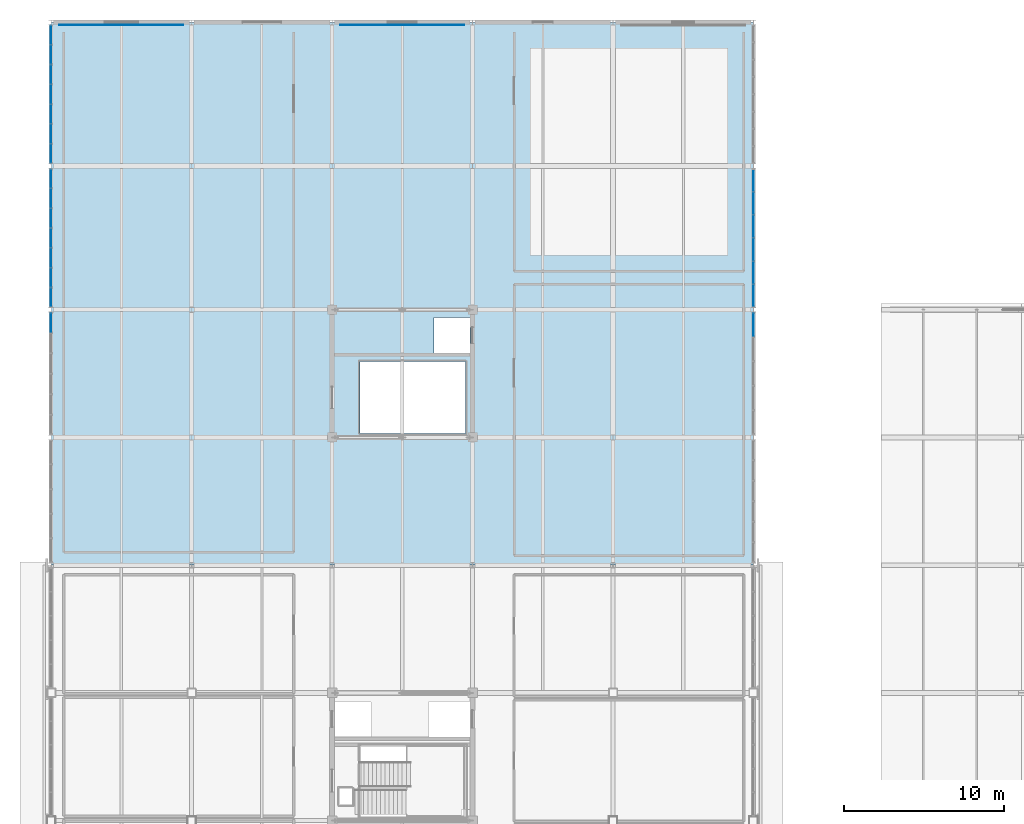
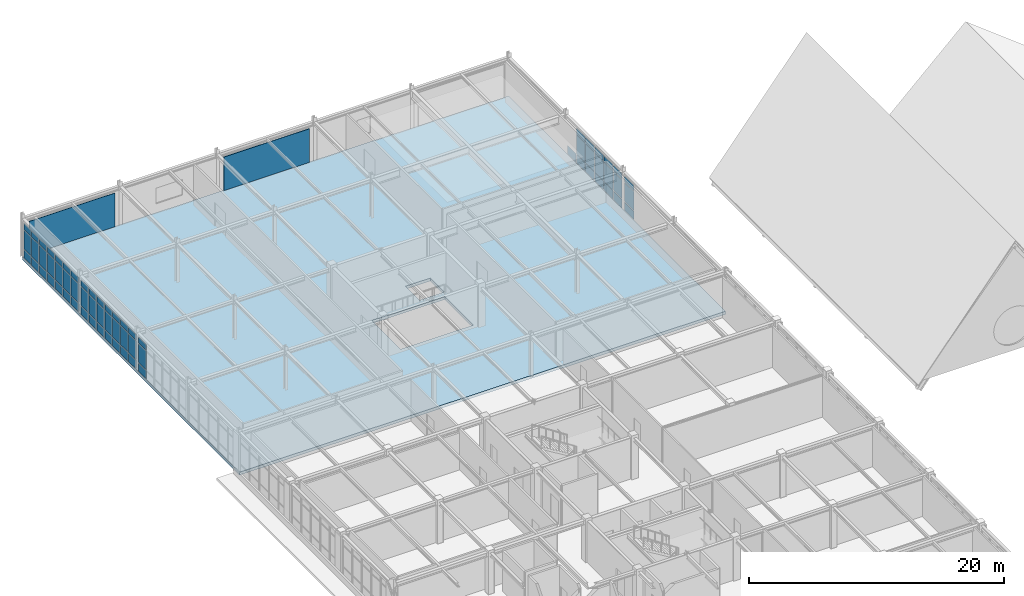
# One storey, part 31 of 64: 66 plates, 1 slab, 5 elements without a shape of their own.
"""IFC4 building model written with IfcOpenShell, lengths in metres."""

from ifc_helpers import new_model, si_unit, direction, frame, origin, origin_2d, place, context, subcontext, project, spatial, polyline, rectangle, outline, extrude, material, layer, layer_set, type_object, element, aggregate, save


model = new_model("IFC4")

# Units and contexts
model_context = context("Model", 3, precision=1e-05, world=origin(), true_north=direction((0.0, 1.0)))
body_context = subcontext(model_context, "Body", "Model", "MODEL_VIEW")
ifc_project = project(units=[si_unit("LENGTHUNIT", "METRE"), si_unit("AREAUNIT", "SQUARE_METRE"), si_unit("VOLUMEUNIT", "CUBIC_METRE"), si_unit("PLANEANGLEUNIT", "RADIAN"), si_unit("MASSUNIT", "GRAM", prefix="KILO")], contexts=[model_context])

# Site, building, storey
site_placement = place(None, origin())
site = spatial("IfcSite", under=ifc_project, at=site_placement, CompositionType="ELEMENT")
building_placement = place(site_placement, origin())
building = spatial("IfcBuilding", under=site, at=building_placement, Name="Zhaolan Boulevard Law Courts", CompositionType="ELEMENT")
storey_placement = place(building_placement, frame((0.0, 0.0, 20.39990234375)))
storey = spatial("IfcBuildingStorey", under=building, at=storey_placement, Name="L04", CompositionType="ELEMENT", Elevation=20.39990234375)

# Curtain wall, plates
ifc_material_1 = material(Name="Thermally broken aluminium and low-E glazing", Category="aluminium")
curtain_wall_type_1 = type_object("IfcCurtainWallType", Name="CURTAIN WALL M12", PredefinedType="USERDEFINED", material=ifc_material_1)
curtain_wall_1_placement = place(storey_placement, origin())
curtain_wall_1 = element("IfcCurtainWall", 1, at=curtain_wall_1_placement, inside=storey, type_object=curtain_wall_type_1, Name="Curtain Wall CW-L04-132", ObjectType="CURTAIN WALL", PredefinedType="USERDEFINED")
ifc_material_2 = material(Name="Triple-silver low-E insulated glazing", Category="glass")
ifc_layer_1 = layer(ifc_material_2, 0.028076171875)
ifc_layer_set_1 = layer_set([ifc_layer_1])
plate_type_1 = type_object("IfcPlateType", Name="CWPANEL LOW E28", PredefinedType="CURTAIN_PANEL", material=ifc_layer_set_1)
plate_1_placement = place(storey_placement, frame((0.0, 93.1904296875, 0.06494140625), z_axis=(0.0, 0.0, 1.0), x_axis=(0.0, -1.0, 0.0)))
plate_1 = element("IfcPlate", 2, at=plate_1_placement, type_object=plate_type_1, Name="CW-L04-132 panel 1.1", PredefinedType="CURTAIN_PANEL", context=body_context, shape_type="SweptSolid", body=[
    extrude(rectangle(XDim=1.18505859375, YDim=0.028076171875, at=origin_2d()), origin(), (0.0, 0.0, 1.0), 0.802490234375),
])
plate_2_placement = place(storey_placement, frame((0.0, 93.1904296875, 0.9326171875), z_axis=(0.0, 0.0, 1.0), x_axis=(0.0, -1.0, 0.0)))
plate_2 = element("IfcPlate", 3, at=plate_2_placement, type_object=plate_type_1, Name="CW-L04-132 panel 1.2", PredefinedType="CURTAIN_PANEL", context=body_context, shape_type="SweptSolid", body=[
    extrude(rectangle(XDim=1.18505859375, YDim=0.028076171875, at=origin_2d()), origin(), (0.0, 0.0, 1.0), 1.80810546875),
])
plate_3_placement = place(storey_placement, frame((0.0, 93.1904296875, 2.8056640625), z_axis=(0.0, 0.0, 1.0), x_axis=(0.0, -1.0, 0.0)))
plate_3 = element("IfcPlate", 4, at=plate_3_placement, type_object=plate_type_1, Name="CW-L04-132 panel 1.3", PredefinedType="CURTAIN_PANEL", context=body_context, shape_type="SweptSolid", body=[
    extrude(rectangle(XDim=1.18505859375, YDim=0.028076171875, at=origin_2d()), origin(), (0.0, 0.0, 1.0), 0.552490234375),
])
aggregate(curtain_wall_1, [plate_1, plate_2, plate_3])

ifc_material_3 = material(Name="Thermally broken aluminium and low-E glazing", Category="aluminium")
curtain_wall_type_2 = type_object("IfcCurtainWallType", Name="CURTAIN WALL M13", PredefinedType="USERDEFINED", material=ifc_material_3)
curtain_wall_2_placement = place(storey_placement, origin())
curtain_wall_2 = element("IfcCurtainWall", 5, at=curtain_wall_2_placement, inside=storey, type_object=curtain_wall_type_2, Name="Curtain Wall CW-L04-133", ObjectType="CURTAIN WALL", PredefinedType="USERDEFINED")
plate_4_placement = place(storey_placement, frame((0.0, 102.210693359375, 0.06494140625), z_axis=(0.0, 0.0, 1.0), x_axis=(0.0, -1.0, 0.0)))
plate_4 = element("IfcPlate", 6, at=plate_4_placement, type_object=plate_type_1, Name="CW-L04-133 panel 1.1", PredefinedType="CURTAIN_PANEL", context=body_context, shape_type="SweptSolid", body=[
    extrude(rectangle(XDim=1.144775390625, YDim=0.028076171875, at=origin_2d()), origin(), (0.0, 0.0, 1.0), 0.802490234375),
])
plate_5_placement = place(storey_placement, frame((0.0, 102.210693359375, 0.9326171875), z_axis=(0.0, 0.0, 1.0), x_axis=(0.0, -1.0, 0.0)))
plate_5 = element("IfcPlate", 7, at=plate_5_placement, type_object=plate_type_1, Name="CW-L04-133 panel 1.2", PredefinedType="CURTAIN_PANEL", context=body_context, shape_type="SweptSolid", body=[
    extrude(rectangle(XDim=1.144775390625, YDim=0.028076171875, at=origin_2d()), origin(), (0.0, 0.0, 1.0), 1.80810546875),
])
plate_6_placement = place(storey_placement, frame((0.0, 102.210693359375, 2.8056640625), z_axis=(0.0, 0.0, 1.0), x_axis=(0.0, -1.0, 0.0)))
plate_6 = element("IfcPlate", 8, at=plate_6_placement, type_object=plate_type_1, Name="CW-L04-133 panel 1.3", PredefinedType="CURTAIN_PANEL", context=body_context, shape_type="SweptSolid", body=[
    extrude(rectangle(XDim=1.144775390625, YDim=0.028076171875, at=origin_2d()), origin(), (0.0, 0.0, 1.0), 0.552490234375),
])
plate_7_placement = place(storey_placement, frame((0.0, 100.984619140625, 0.06494140625), z_axis=(0.0, 0.0, 1.0), x_axis=(0.0, -1.0, 0.0)))
plate_7 = element("IfcPlate", 9, at=plate_7_placement, type_object=plate_type_1, Name="CW-L04-133 panel 2.1", PredefinedType="CURTAIN_PANEL", context=body_context, shape_type="SweptSolid", body=[
    extrude(rectangle(XDim=1.17724609375, YDim=0.028076171875, at=origin_2d()), origin(), (0.0, 0.0, 1.0), 0.802490234375),
])
plate_8_placement = place(storey_placement, frame((0.0, 100.984619140625, 0.9326171875), z_axis=(0.0, 0.0, 1.0), x_axis=(0.0, -1.0, 0.0)))
plate_8 = element("IfcPlate", 10, at=plate_8_placement, type_object=plate_type_1, Name="CW-L04-133 panel 2.2", PredefinedType="CURTAIN_PANEL", context=body_context, shape_type="SweptSolid", body=[
    extrude(rectangle(XDim=1.17724609375, YDim=0.028076171875, at=origin_2d()), origin(), (0.0, 0.0, 1.0), 1.80810546875),
])
plate_9_placement = place(storey_placement, frame((0.0, 100.984619140625, 2.8056640625), z_axis=(0.0, 0.0, 1.0), x_axis=(0.0, -1.0, 0.0)))
plate_9 = element("IfcPlate", 11, at=plate_9_placement, type_object=plate_type_1, Name="CW-L04-133 panel 2.3", PredefinedType="CURTAIN_PANEL", context=body_context, shape_type="SweptSolid", body=[
    extrude(rectangle(XDim=1.17724609375, YDim=0.028076171875, at=origin_2d()), origin(), (0.0, 0.0, 1.0), 0.552490234375),
])
plate_10_placement = place(storey_placement, frame((0.0, 99.7421875, 0.06494140625), z_axis=(0.0, 0.0, 1.0), x_axis=(0.0, -1.0, 0.0)))
plate_10 = element("IfcPlate", 12, at=plate_10_placement, type_object=plate_type_1, Name="CW-L04-133 panel 3.1", PredefinedType="CURTAIN_PANEL", context=body_context, shape_type="SweptSolid", body=[
    extrude(rectangle(XDim=1.17724609375, YDim=0.028076171875, at=origin_2d()), origin(), (0.0, 0.0, 1.0), 0.802490234375),
])
plate_11_placement = place(storey_placement, frame((0.0, 99.7421875, 0.9326171875), z_axis=(0.0, 0.0, 1.0), x_axis=(0.0, -1.0, 0.0)))
plate_11 = element("IfcPlate", 13, at=plate_11_placement, type_object=plate_type_1, Name="CW-L04-133 panel 3.2", PredefinedType="CURTAIN_PANEL", context=body_context, shape_type="SweptSolid", body=[
    extrude(rectangle(XDim=1.17724609375, YDim=0.028076171875, at=origin_2d()), origin(), (0.0, 0.0, 1.0), 1.80810546875),
])
plate_12_placement = place(storey_placement, frame((0.0, 99.7421875, 2.8056640625), z_axis=(0.0, 0.0, 1.0), x_axis=(0.0, -1.0, 0.0)))
plate_12 = element("IfcPlate", 14, at=plate_12_placement, type_object=plate_type_1, Name="CW-L04-133 panel 3.3", PredefinedType="CURTAIN_PANEL", context=body_context, shape_type="SweptSolid", body=[
    extrude(rectangle(XDim=1.17724609375, YDim=0.028076171875, at=origin_2d()), origin(), (0.0, 0.0, 1.0), 0.552490234375),
])
plate_13_placement = place(storey_placement, frame((0.0, 98.5, 0.06494140625), z_axis=(0.0, 0.0, 1.0), x_axis=(0.0, -1.0, 0.0)))
plate_13 = element("IfcPlate", 15, at=plate_13_placement, type_object=plate_type_1, Name="CW-L04-133 panel 4.1", PredefinedType="CURTAIN_PANEL", context=body_context, shape_type="SweptSolid", body=[
    extrude(rectangle(XDim=1.17724609375, YDim=0.028076171875, at=origin_2d()), origin(), (0.0, 0.0, 1.0), 0.802490234375),
])
plate_14_placement = place(storey_placement, frame((0.0, 98.5, 0.9326171875), z_axis=(0.0, 0.0, 1.0), x_axis=(0.0, -1.0, 0.0)))
plate_14 = element("IfcPlate", 16, at=plate_14_placement, type_object=plate_type_1, Name="CW-L04-133 panel 4.2", PredefinedType="CURTAIN_PANEL", context=body_context, shape_type="SweptSolid", body=[
    extrude(rectangle(XDim=1.17724609375, YDim=0.028076171875, at=origin_2d()), origin(), (0.0, 0.0, 1.0), 1.80810546875),
])
plate_15_placement = place(storey_placement, frame((0.0, 98.5, 2.8056640625), z_axis=(0.0, 0.0, 1.0), x_axis=(0.0, -1.0, 0.0)))
plate_15 = element("IfcPlate", 17, at=plate_15_placement, type_object=plate_type_1, Name="CW-L04-133 panel 4.3", PredefinedType="CURTAIN_PANEL", context=body_context, shape_type="SweptSolid", body=[
    extrude(rectangle(XDim=1.17724609375, YDim=0.028076171875, at=origin_2d()), origin(), (0.0, 0.0, 1.0), 0.552490234375),
])
plate_16_placement = place(storey_placement, frame((0.0, 97.2578125, 0.06494140625), z_axis=(0.0, 0.0, 1.0), x_axis=(0.0, -1.0, 0.0)))
plate_16 = element("IfcPlate", 18, at=plate_16_placement, type_object=plate_type_1, Name="CW-L04-133 panel 5.1", PredefinedType="CURTAIN_PANEL", context=body_context, shape_type="SweptSolid", body=[
    extrude(rectangle(XDim=1.17724609375, YDim=0.028076171875, at=origin_2d()), origin(), (0.0, 0.0, 1.0), 0.802490234375),
])
plate_17_placement = place(storey_placement, frame((0.0, 97.2578125, 0.9326171875), z_axis=(0.0, 0.0, 1.0), x_axis=(0.0, -1.0, 0.0)))
plate_17 = element("IfcPlate", 19, at=plate_17_placement, type_object=plate_type_1, Name="CW-L04-133 panel 5.2", PredefinedType="CURTAIN_PANEL", context=body_context, shape_type="SweptSolid", body=[
    extrude(rectangle(XDim=1.17724609375, YDim=0.028076171875, at=origin_2d()), origin(), (0.0, 0.0, 1.0), 1.80810546875),
])
plate_18_placement = place(storey_placement, frame((0.0, 97.2578125, 2.8056640625), z_axis=(0.0, 0.0, 1.0), x_axis=(0.0, -1.0, 0.0)))
plate_18 = element("IfcPlate", 20, at=plate_18_placement, type_object=plate_type_1, Name="CW-L04-133 panel 5.3", PredefinedType="CURTAIN_PANEL", context=body_context, shape_type="SweptSolid", body=[
    extrude(rectangle(XDim=1.17724609375, YDim=0.028076171875, at=origin_2d()), origin(), (0.0, 0.0, 1.0), 0.552490234375),
])
plate_19_placement = place(storey_placement, frame((0.0, 96.015380859375, 0.06494140625), z_axis=(0.0, 0.0, 1.0), x_axis=(0.0, -1.0, 0.0)))
plate_19 = element("IfcPlate", 21, at=plate_19_placement, type_object=plate_type_1, Name="CW-L04-133 panel 6.1", PredefinedType="CURTAIN_PANEL", context=body_context, shape_type="SweptSolid", body=[
    extrude(rectangle(XDim=1.17724609375, YDim=0.028076171875, at=origin_2d()), origin(), (0.0, 0.0, 1.0), 0.802490234375),
])
plate_20_placement = place(storey_placement, frame((0.0, 96.015380859375, 0.9326171875), z_axis=(0.0, 0.0, 1.0), x_axis=(0.0, -1.0, 0.0)))
plate_20 = element("IfcPlate", 22, at=plate_20_placement, type_object=plate_type_1, Name="CW-L04-133 panel 6.2", PredefinedType="CURTAIN_PANEL", context=body_context, shape_type="SweptSolid", body=[
    extrude(rectangle(XDim=1.17724609375, YDim=0.028076171875, at=origin_2d()), origin(), (0.0, 0.0, 1.0), 1.80810546875),
])
plate_21_placement = place(storey_placement, frame((0.0, 96.015380859375, 2.8056640625), z_axis=(0.0, 0.0, 1.0), x_axis=(0.0, -1.0, 0.0)))
plate_21 = element("IfcPlate", 23, at=plate_21_placement, type_object=plate_type_1, Name="CW-L04-133 panel 6.3", PredefinedType="CURTAIN_PANEL", context=body_context, shape_type="SweptSolid", body=[
    extrude(rectangle(XDim=1.17724609375, YDim=0.028076171875, at=origin_2d()), origin(), (0.0, 0.0, 1.0), 0.552490234375),
])
plate_22_placement = place(storey_placement, frame((0.0, 94.789306640625, 0.06494140625), z_axis=(0.0, 0.0, 1.0), x_axis=(0.0, -1.0, 0.0)))
plate_22 = element("IfcPlate", 24, at=plate_22_placement, type_object=plate_type_1, Name="CW-L04-133 panel 7.1", PredefinedType="CURTAIN_PANEL", context=body_context, shape_type="SweptSolid", body=[
    extrude(rectangle(XDim=1.144775390625, YDim=0.028076171875, at=origin_2d()), origin(), (0.0, 0.0, 1.0), 0.802490234375),
])
plate_23_placement = place(storey_placement, frame((0.0, 94.789306640625, 0.9326171875), z_axis=(0.0, 0.0, 1.0), x_axis=(0.0, -1.0, 0.0)))
plate_23 = element("IfcPlate", 25, at=plate_23_placement, type_object=plate_type_1, Name="CW-L04-133 panel 7.2", PredefinedType="CURTAIN_PANEL", context=body_context, shape_type="SweptSolid", body=[
    extrude(rectangle(XDim=1.144775390625, YDim=0.028076171875, at=origin_2d()), origin(), (0.0, 0.0, 1.0), 1.80810546875),
])
plate_24_placement = place(storey_placement, frame((0.0, 94.789306640625, 2.8056640625), z_axis=(0.0, 0.0, 1.0), x_axis=(0.0, -1.0, 0.0)))
plate_24 = element("IfcPlate", 26, at=plate_24_placement, type_object=plate_type_1, Name="CW-L04-133 panel 7.3", PredefinedType="CURTAIN_PANEL", context=body_context, shape_type="SweptSolid", body=[
    extrude(rectangle(XDim=1.144775390625, YDim=0.028076171875, at=origin_2d()), origin(), (0.0, 0.0, 1.0), 0.552490234375),
])
aggregate(curtain_wall_2, [plate_4, plate_5, plate_6, plate_7, plate_8, plate_9, plate_10, plate_11, plate_12, plate_13, plate_14, plate_15, plate_16, plate_17, plate_18, plate_19, plate_20, plate_21, plate_22, plate_23, plate_24])

ifc_material_4 = material(Name="Thermally broken aluminium and low-E glazing", Category="aluminium")
curtain_wall_type_3 = type_object("IfcCurtainWallType", Name="CURTAIN WALL M14", PredefinedType="USERDEFINED", material=ifc_material_4)
curtain_wall_3_placement = place(storey_placement, origin())
curtain_wall_3 = element("IfcCurtainWall", 27, at=curtain_wall_3_placement, inside=storey, type_object=curtain_wall_type_3, Name="Curtain Wall CW-L04-134", ObjectType="CURTAIN WALL", PredefinedType="USERDEFINED")
plate_25_placement = place(storey_placement, frame((0.0, 111.210693359375, 0.06494140625), z_axis=(0.0, 0.0, 1.0), x_axis=(0.0, -1.0, 0.0)))
plate_25 = element("IfcPlate", 28, at=plate_25_placement, type_object=plate_type_1, Name="CW-L04-134 panel 1.1", PredefinedType="CURTAIN_PANEL", context=body_context, shape_type="SweptSolid", body=[
    extrude(rectangle(XDim=1.144775390625, YDim=0.028076171875, at=origin_2d()), origin(), (0.0, 0.0, 1.0), 0.802490234375),
])
plate_26_placement = place(storey_placement, frame((0.0, 111.210693359375, 0.9326171875), z_axis=(0.0, 0.0, 1.0), x_axis=(0.0, -1.0, 0.0)))
plate_26 = element("IfcPlate", 29, at=plate_26_placement, type_object=plate_type_1, Name="CW-L04-134 panel 1.2", PredefinedType="CURTAIN_PANEL", context=body_context, shape_type="SweptSolid", body=[
    extrude(rectangle(XDim=1.144775390625, YDim=0.028076171875, at=origin_2d()), origin(), (0.0, 0.0, 1.0), 1.80810546875),
])
plate_27_placement = place(storey_placement, frame((0.0, 111.210693359375, 2.8056640625), z_axis=(0.0, 0.0, 1.0), x_axis=(0.0, -1.0, 0.0)))
plate_27 = element("IfcPlate", 30, at=plate_27_placement, type_object=plate_type_1, Name="CW-L04-134 panel 1.3", PredefinedType="CURTAIN_PANEL", context=body_context, shape_type="SweptSolid", body=[
    extrude(rectangle(XDim=1.144775390625, YDim=0.028076171875, at=origin_2d()), origin(), (0.0, 0.0, 1.0), 0.552490234375),
])
plate_28_placement = place(storey_placement, frame((0.0, 109.984619140625, 0.06494140625), z_axis=(0.0, 0.0, 1.0), x_axis=(0.0, -1.0, 0.0)))
plate_28 = element("IfcPlate", 31, at=plate_28_placement, type_object=plate_type_1, Name="CW-L04-134 panel 2.1", PredefinedType="CURTAIN_PANEL", context=body_context, shape_type="SweptSolid", body=[
    extrude(rectangle(XDim=1.17724609375, YDim=0.028076171875, at=origin_2d()), origin(), (0.0, 0.0, 1.0), 0.802490234375),
])
plate_29_placement = place(storey_placement, frame((0.0, 109.984619140625, 0.9326171875), z_axis=(0.0, 0.0, 1.0), x_axis=(0.0, -1.0, 0.0)))
plate_29 = element("IfcPlate", 32, at=plate_29_placement, type_object=plate_type_1, Name="CW-L04-134 panel 2.2", PredefinedType="CURTAIN_PANEL", context=body_context, shape_type="SweptSolid", body=[
    extrude(rectangle(XDim=1.17724609375, YDim=0.028076171875, at=origin_2d()), origin(), (0.0, 0.0, 1.0), 1.80810546875),
])
plate_30_placement = place(storey_placement, frame((0.0, 109.984619140625, 2.8056640625), z_axis=(0.0, 0.0, 1.0), x_axis=(0.0, -1.0, 0.0)))
plate_30 = element("IfcPlate", 33, at=plate_30_placement, type_object=plate_type_1, Name="CW-L04-134 panel 2.3", PredefinedType="CURTAIN_PANEL", context=body_context, shape_type="SweptSolid", body=[
    extrude(rectangle(XDim=1.17724609375, YDim=0.028076171875, at=origin_2d()), origin(), (0.0, 0.0, 1.0), 0.552490234375),
])
plate_31_placement = place(storey_placement, frame((0.0, 108.7421875, 0.06494140625), z_axis=(0.0, 0.0, 1.0), x_axis=(0.0, -1.0, 0.0)))
plate_31 = element("IfcPlate", 34, at=plate_31_placement, type_object=plate_type_1, Name="CW-L04-134 panel 3.1", PredefinedType="CURTAIN_PANEL", context=body_context, shape_type="SweptSolid", body=[
    extrude(rectangle(XDim=1.17724609375, YDim=0.028076171875, at=origin_2d()), origin(), (0.0, 0.0, 1.0), 0.802490234375),
])
plate_32_placement = place(storey_placement, frame((0.0, 108.7421875, 0.9326171875), z_axis=(0.0, 0.0, 1.0), x_axis=(0.0, -1.0, 0.0)))
plate_32 = element("IfcPlate", 35, at=plate_32_placement, type_object=plate_type_1, Name="CW-L04-134 panel 3.2", PredefinedType="CURTAIN_PANEL", context=body_context, shape_type="SweptSolid", body=[
    extrude(rectangle(XDim=1.17724609375, YDim=0.028076171875, at=origin_2d()), origin(), (0.0, 0.0, 1.0), 1.80810546875),
])
plate_33_placement = place(storey_placement, frame((0.0, 108.7421875, 2.8056640625), z_axis=(0.0, 0.0, 1.0), x_axis=(0.0, -1.0, 0.0)))
plate_33 = element("IfcPlate", 36, at=plate_33_placement, type_object=plate_type_1, Name="CW-L04-134 panel 3.3", PredefinedType="CURTAIN_PANEL", context=body_context, shape_type="SweptSolid", body=[
    extrude(rectangle(XDim=1.17724609375, YDim=0.028076171875, at=origin_2d()), origin(), (0.0, 0.0, 1.0), 0.552490234375),
])
plate_34_placement = place(storey_placement, frame((0.0, 107.5, 0.06494140625), z_axis=(0.0, 0.0, 1.0), x_axis=(0.0, -1.0, 0.0)))
plate_34 = element("IfcPlate", 37, at=plate_34_placement, type_object=plate_type_1, Name="CW-L04-134 panel 4.1", PredefinedType="CURTAIN_PANEL", context=body_context, shape_type="SweptSolid", body=[
    extrude(rectangle(XDim=1.17724609375, YDim=0.028076171875, at=origin_2d()), origin(), (0.0, 0.0, 1.0), 0.802490234375),
])
plate_35_placement = place(storey_placement, frame((0.0, 107.5, 0.9326171875), z_axis=(0.0, 0.0, 1.0), x_axis=(0.0, -1.0, 0.0)))
plate_35 = element("IfcPlate", 38, at=plate_35_placement, type_object=plate_type_1, Name="CW-L04-134 panel 4.2", PredefinedType="CURTAIN_PANEL", context=body_context, shape_type="SweptSolid", body=[
    extrude(rectangle(XDim=1.17724609375, YDim=0.028076171875, at=origin_2d()), origin(), (0.0, 0.0, 1.0), 1.80810546875),
])
plate_36_placement = place(storey_placement, frame((0.0, 107.5, 2.8056640625), z_axis=(0.0, 0.0, 1.0), x_axis=(0.0, -1.0, 0.0)))
plate_36 = element("IfcPlate", 39, at=plate_36_placement, type_object=plate_type_1, Name="CW-L04-134 panel 4.3", PredefinedType="CURTAIN_PANEL", context=body_context, shape_type="SweptSolid", body=[
    extrude(rectangle(XDim=1.17724609375, YDim=0.028076171875, at=origin_2d()), origin(), (0.0, 0.0, 1.0), 0.552490234375),
])
plate_37_placement = place(storey_placement, frame((0.0, 106.2578125, 0.06494140625), z_axis=(0.0, 0.0, 1.0), x_axis=(0.0, -1.0, 0.0)))
plate_37 = element("IfcPlate", 40, at=plate_37_placement, type_object=plate_type_1, Name="CW-L04-134 panel 5.1", PredefinedType="CURTAIN_PANEL", context=body_context, shape_type="SweptSolid", body=[
    extrude(rectangle(XDim=1.17724609375, YDim=0.028076171875, at=origin_2d()), origin(), (0.0, 0.0, 1.0), 0.802490234375),
])
plate_38_placement = place(storey_placement, frame((0.0, 106.2578125, 0.9326171875), z_axis=(0.0, 0.0, 1.0), x_axis=(0.0, -1.0, 0.0)))
plate_38 = element("IfcPlate", 41, at=plate_38_placement, type_object=plate_type_1, Name="CW-L04-134 panel 5.2", PredefinedType="CURTAIN_PANEL", context=body_context, shape_type="SweptSolid", body=[
    extrude(rectangle(XDim=1.17724609375, YDim=0.028076171875, at=origin_2d()), origin(), (0.0, 0.0, 1.0), 1.80810546875),
])
plate_39_placement = place(storey_placement, frame((0.0, 106.2578125, 2.8056640625), z_axis=(0.0, 0.0, 1.0), x_axis=(0.0, -1.0, 0.0)))
plate_39 = element("IfcPlate", 42, at=plate_39_placement, type_object=plate_type_1, Name="CW-L04-134 panel 5.3", PredefinedType="CURTAIN_PANEL", context=body_context, shape_type="SweptSolid", body=[
    extrude(rectangle(XDim=1.17724609375, YDim=0.028076171875, at=origin_2d()), origin(), (0.0, 0.0, 1.0), 0.552490234375),
])
plate_40_placement = place(storey_placement, frame((0.0, 105.015380859375, 0.06494140625), z_axis=(0.0, 0.0, 1.0), x_axis=(0.0, -1.0, 0.0)))
plate_40 = element("IfcPlate", 43, at=plate_40_placement, type_object=plate_type_1, Name="CW-L04-134 panel 6.1", PredefinedType="CURTAIN_PANEL", context=body_context, shape_type="SweptSolid", body=[
    extrude(rectangle(XDim=1.17724609375, YDim=0.028076171875, at=origin_2d()), origin(), (0.0, 0.0, 1.0), 0.802490234375),
])
plate_41_placement = place(storey_placement, frame((0.0, 105.015380859375, 0.9326171875), z_axis=(0.0, 0.0, 1.0), x_axis=(0.0, -1.0, 0.0)))
plate_41 = element("IfcPlate", 44, at=plate_41_placement, type_object=plate_type_1, Name="CW-L04-134 panel 6.2", PredefinedType="CURTAIN_PANEL", context=body_context, shape_type="SweptSolid", body=[
    extrude(rectangle(XDim=1.17724609375, YDim=0.028076171875, at=origin_2d()), origin(), (0.0, 0.0, 1.0), 1.80810546875),
])
plate_42_placement = place(storey_placement, frame((0.0, 105.015380859375, 2.8056640625), z_axis=(0.0, 0.0, 1.0), x_axis=(0.0, -1.0, 0.0)))
plate_42 = element("IfcPlate", 45, at=plate_42_placement, type_object=plate_type_1, Name="CW-L04-134 panel 6.3", PredefinedType="CURTAIN_PANEL", context=body_context, shape_type="SweptSolid", body=[
    extrude(rectangle(XDim=1.17724609375, YDim=0.028076171875, at=origin_2d()), origin(), (0.0, 0.0, 1.0), 0.552490234375),
])
plate_43_placement = place(storey_placement, frame((0.0, 103.789306640625, 0.06494140625), z_axis=(0.0, 0.0, 1.0), x_axis=(0.0, -1.0, 0.0)))
plate_43 = element("IfcPlate", 46, at=plate_43_placement, type_object=plate_type_1, Name="CW-L04-134 panel 7.1", PredefinedType="CURTAIN_PANEL", context=body_context, shape_type="SweptSolid", body=[
    extrude(rectangle(XDim=1.144775390625, YDim=0.028076171875, at=origin_2d()), origin(), (0.0, 0.0, 1.0), 0.802490234375),
])
plate_44_placement = place(storey_placement, frame((0.0, 103.789306640625, 0.9326171875), z_axis=(0.0, 0.0, 1.0), x_axis=(0.0, -1.0, 0.0)))
plate_44 = element("IfcPlate", 47, at=plate_44_placement, type_object=plate_type_1, Name="CW-L04-134 panel 7.2", PredefinedType="CURTAIN_PANEL", context=body_context, shape_type="SweptSolid", body=[
    extrude(rectangle(XDim=1.144775390625, YDim=0.028076171875, at=origin_2d()), origin(), (0.0, 0.0, 1.0), 1.80810546875),
])
plate_45_placement = place(storey_placement, frame((0.0, 103.789306640625, 2.8056640625), z_axis=(0.0, 0.0, 1.0), x_axis=(0.0, -1.0, 0.0)))
plate_45 = element("IfcPlate", 48, at=plate_45_placement, type_object=plate_type_1, Name="CW-L04-134 panel 7.3", PredefinedType="CURTAIN_PANEL", context=body_context, shape_type="SweptSolid", body=[
    extrude(rectangle(XDim=1.144775390625, YDim=0.028076171875, at=origin_2d()), origin(), (0.0, 0.0, 1.0), 0.552490234375),
])
aggregate(curtain_wall_3, [plate_25, plate_26, plate_27, plate_28, plate_29, plate_30, plate_31, plate_32, plate_33, plate_34, plate_35, plate_36, plate_37, plate_38, plate_39, plate_40, plate_41, plate_42, plate_43, plate_44, plate_45])

ifc_material_5 = material(Name="Thermally broken aluminium and low-E glazing", Category="aluminium")
curtain_wall_type_4 = type_object("IfcCurtainWallType", Name="CURTAIN WALL M16", PredefinedType="USERDEFINED", material=ifc_material_5)
curtain_wall_4_placement = place(storey_placement, origin())
curtain_wall_4 = element("IfcCurtainWall", 49, at=curtain_wall_4_placement, inside=storey, type_object=curtain_wall_type_4, Name="Curtain Wall CW-L04-136", ObjectType="CURTAIN WALL", PredefinedType="USERDEFINED")
plate_46_placement = place(storey_placement, frame((44.0, 93.062255859375, 0.06494140625), z_axis=(0.0, 0.0, 1.0), x_axis=(0.0, 1.0, 0.0)))
plate_46 = element("IfcPlate", 50, at=plate_46_placement, type_object=plate_type_1, Name="CW-L04-136 panel 5.1", PredefinedType="CURTAIN_PANEL", context=body_context, shape_type="SweptSolid", body=[
    extrude(rectangle(XDim=1.441650390625, YDim=0.028076171875, at=origin_2d()), origin(), (0.0, 0.0, 1.0), 0.802490234375),
])
plate_47_placement = place(storey_placement, frame((44.0, 93.062255859375, 0.9326171875), z_axis=(0.0, 0.0, 1.0), x_axis=(0.0, 1.0, 0.0)))
plate_47 = element("IfcPlate", 51, at=plate_47_placement, type_object=plate_type_1, Name="CW-L04-136 panel 5.2", PredefinedType="CURTAIN_PANEL", context=body_context, shape_type="SweptSolid", body=[
    extrude(rectangle(XDim=1.441650390625, YDim=0.028076171875, at=origin_2d()), origin(), (0.0, 0.0, 1.0), 1.80810546875),
])
plate_48_placement = place(storey_placement, frame((44.0, 93.062255859375, 2.8056640625), z_axis=(0.0, 0.0, 1.0), x_axis=(0.0, 1.0, 0.0)))
plate_48 = element("IfcPlate", 52, at=plate_48_placement, type_object=plate_type_1, Name="CW-L04-136 panel 5.3", PredefinedType="CURTAIN_PANEL", context=body_context, shape_type="SweptSolid", body=[
    extrude(rectangle(XDim=1.441650390625, YDim=0.028076171875, at=origin_2d()), origin(), (0.0, 0.0, 1.0), 0.552490234375),
])
aggregate(curtain_wall_4, [plate_46, plate_47, plate_48])

ifc_material_6 = material(Name="Thermally broken aluminium and low-E glazing", Category="aluminium")
curtain_wall_type_5 = type_object("IfcCurtainWallType", Name="CURTAIN WALL M17", PredefinedType="USERDEFINED", material=ifc_material_6)
curtain_wall_5_placement = place(storey_placement, origin())
curtain_wall_5 = element("IfcCurtainWall", 53, at=curtain_wall_5_placement, inside=storey, type_object=curtain_wall_type_5, Name="Curtain Wall CW-L04-137", ObjectType="CURTAIN WALL", PredefinedType="USERDEFINED")
plate_49_placement = place(storey_placement, frame((44.0, 94.892822265625, 0.06494140625), z_axis=(0.0, 0.0, 1.0), x_axis=(0.0, 1.0, 0.0)))
plate_49 = element("IfcPlate", 54, at=plate_49_placement, type_object=plate_type_1, Name="CW-L04-137 panel 1.1", PredefinedType="CURTAIN_PANEL", context=body_context, shape_type="SweptSolid", body=[
    extrude(rectangle(XDim=1.351806640625, YDim=0.028076171875, at=origin_2d()), origin(), (0.0, 0.0, 1.0), 0.802490234375),
])
plate_50_placement = place(storey_placement, frame((44.0, 94.892822265625, 0.9326171875), z_axis=(0.0, 0.0, 1.0), x_axis=(0.0, 1.0, 0.0)))
plate_50 = element("IfcPlate", 55, at=plate_50_placement, type_object=plate_type_1, Name="CW-L04-137 panel 1.2", PredefinedType="CURTAIN_PANEL", context=body_context, shape_type="SweptSolid", body=[
    extrude(rectangle(XDim=1.351806640625, YDim=0.028076171875, at=origin_2d()), origin(), (0.0, 0.0, 1.0), 1.80810546875),
])
plate_51_placement = place(storey_placement, frame((44.0, 94.892822265625, 2.8056640625), z_axis=(0.0, 0.0, 1.0), x_axis=(0.0, 1.0, 0.0)))
plate_51 = element("IfcPlate", 56, at=plate_51_placement, type_object=plate_type_1, Name="CW-L04-137 panel 1.3", PredefinedType="CURTAIN_PANEL", context=body_context, shape_type="SweptSolid", body=[
    extrude(rectangle(XDim=1.351806640625, YDim=0.028076171875, at=origin_2d()), origin(), (0.0, 0.0, 1.0), 0.552490234375),
])
plate_52_placement = place(storey_placement, frame((44.0, 96.325927734375, 0.06494140625), z_axis=(0.0, 0.0, 1.0), x_axis=(0.0, 1.0, 0.0)))
plate_52 = element("IfcPlate", 57, at=plate_52_placement, type_object=plate_type_1, Name="CW-L04-137 panel 2.1", PredefinedType="CURTAIN_PANEL", context=body_context, shape_type="SweptSolid", body=[
    extrude(rectangle(XDim=1.38427734375, YDim=0.028076171875, at=origin_2d()), origin(), (0.0, 0.0, 1.0), 0.802490234375),
])
plate_53_placement = place(storey_placement, frame((44.0, 96.325927734375, 0.9326171875), z_axis=(0.0, 0.0, 1.0), x_axis=(0.0, 1.0, 0.0)))
plate_53 = element("IfcPlate", 58, at=plate_53_placement, type_object=plate_type_1, Name="CW-L04-137 panel 2.2", PredefinedType="CURTAIN_PANEL", context=body_context, shape_type="SweptSolid", body=[
    extrude(rectangle(XDim=1.38427734375, YDim=0.028076171875, at=origin_2d()), origin(), (0.0, 0.0, 1.0), 1.80810546875),
])
plate_54_placement = place(storey_placement, frame((44.0, 96.325927734375, 2.8056640625), z_axis=(0.0, 0.0, 1.0), x_axis=(0.0, 1.0, 0.0)))
plate_54 = element("IfcPlate", 59, at=plate_54_placement, type_object=plate_type_1, Name="CW-L04-137 panel 2.3", PredefinedType="CURTAIN_PANEL", context=body_context, shape_type="SweptSolid", body=[
    extrude(rectangle(XDim=1.38427734375, YDim=0.028076171875, at=origin_2d()), origin(), (0.0, 0.0, 1.0), 0.552490234375),
])
plate_55_placement = place(storey_placement, frame((44.0, 97.775390625, 0.06494140625), z_axis=(0.0, 0.0, 1.0), x_axis=(0.0, 1.0, 0.0)))
plate_55 = element("IfcPlate", 60, at=plate_55_placement, type_object=plate_type_1, Name="CW-L04-137 panel 3.1", PredefinedType="CURTAIN_PANEL", context=body_context, shape_type="SweptSolid", body=[
    extrude(rectangle(XDim=1.38427734375, YDim=0.028076171875, at=origin_2d()), origin(), (0.0, 0.0, 1.0), 0.802490234375),
])
plate_56_placement = place(storey_placement, frame((44.0, 97.775390625, 0.9326171875), z_axis=(0.0, 0.0, 1.0), x_axis=(0.0, 1.0, 0.0)))
plate_56 = element("IfcPlate", 61, at=plate_56_placement, type_object=plate_type_1, Name="CW-L04-137 panel 3.2", PredefinedType="CURTAIN_PANEL", context=body_context, shape_type="SweptSolid", body=[
    extrude(rectangle(XDim=1.38427734375, YDim=0.028076171875, at=origin_2d()), origin(), (0.0, 0.0, 1.0), 1.80810546875),
])
plate_57_placement = place(storey_placement, frame((44.0, 97.775390625, 2.8056640625), z_axis=(0.0, 0.0, 1.0), x_axis=(0.0, 1.0, 0.0)))
plate_57 = element("IfcPlate", 62, at=plate_57_placement, type_object=plate_type_1, Name="CW-L04-137 panel 3.3", PredefinedType="CURTAIN_PANEL", context=body_context, shape_type="SweptSolid", body=[
    extrude(rectangle(XDim=1.38427734375, YDim=0.028076171875, at=origin_2d()), origin(), (0.0, 0.0, 1.0), 0.552490234375),
])
plate_58_placement = place(storey_placement, frame((44.0, 99.224609375, 0.06494140625), z_axis=(0.0, 0.0, 1.0), x_axis=(0.0, 1.0, 0.0)))
plate_58 = element("IfcPlate", 63, at=plate_58_placement, type_object=plate_type_1, Name="CW-L04-137 panel 4.1", PredefinedType="CURTAIN_PANEL", context=body_context, shape_type="SweptSolid", body=[
    extrude(rectangle(XDim=1.38427734375, YDim=0.028076171875, at=origin_2d()), origin(), (0.0, 0.0, 1.0), 0.802490234375),
])
plate_59_placement = place(storey_placement, frame((44.0, 99.224609375, 0.9326171875), z_axis=(0.0, 0.0, 1.0), x_axis=(0.0, 1.0, 0.0)))
plate_59 = element("IfcPlate", 64, at=plate_59_placement, type_object=plate_type_1, Name="CW-L04-137 panel 4.2", PredefinedType="CURTAIN_PANEL", context=body_context, shape_type="SweptSolid", body=[
    extrude(rectangle(XDim=1.38427734375, YDim=0.028076171875, at=origin_2d()), origin(), (0.0, 0.0, 1.0), 1.80810546875),
])
plate_60_placement = place(storey_placement, frame((44.0, 99.224609375, 2.8056640625), z_axis=(0.0, 0.0, 1.0), x_axis=(0.0, 1.0, 0.0)))
plate_60 = element("IfcPlate", 65, at=plate_60_placement, type_object=plate_type_1, Name="CW-L04-137 panel 4.3", PredefinedType="CURTAIN_PANEL", context=body_context, shape_type="SweptSolid", body=[
    extrude(rectangle(XDim=1.38427734375, YDim=0.028076171875, at=origin_2d()), origin(), (0.0, 0.0, 1.0), 0.552490234375),
])
plate_61_placement = place(storey_placement, frame((44.0, 100.674072265625, 0.06494140625), z_axis=(0.0, 0.0, 1.0), x_axis=(0.0, 1.0, 0.0)))
plate_61 = element("IfcPlate", 66, at=plate_61_placement, type_object=plate_type_1, Name="CW-L04-137 panel 5.1", PredefinedType="CURTAIN_PANEL", context=body_context, shape_type="SweptSolid", body=[
    extrude(rectangle(XDim=1.38427734375, YDim=0.028076171875, at=origin_2d()), origin(), (0.0, 0.0, 1.0), 0.802490234375),
])
plate_62_placement = place(storey_placement, frame((44.0, 100.674072265625, 0.9326171875), z_axis=(0.0, 0.0, 1.0), x_axis=(0.0, 1.0, 0.0)))
plate_62 = element("IfcPlate", 67, at=plate_62_placement, type_object=plate_type_1, Name="CW-L04-137 panel 5.2", PredefinedType="CURTAIN_PANEL", context=body_context, shape_type="SweptSolid", body=[
    extrude(rectangle(XDim=1.38427734375, YDim=0.028076171875, at=origin_2d()), origin(), (0.0, 0.0, 1.0), 1.80810546875),
])
plate_63_placement = place(storey_placement, frame((44.0, 100.674072265625, 2.8056640625), z_axis=(0.0, 0.0, 1.0), x_axis=(0.0, 1.0, 0.0)))
plate_63 = element("IfcPlate", 68, at=plate_63_placement, type_object=plate_type_1, Name="CW-L04-137 panel 5.3", PredefinedType="CURTAIN_PANEL", context=body_context, shape_type="SweptSolid", body=[
    extrude(rectangle(XDim=1.38427734375, YDim=0.028076171875, at=origin_2d()), origin(), (0.0, 0.0, 1.0), 0.552490234375),
])
plate_64_placement = place(storey_placement, frame((44.0, 102.107177734375, 0.06494140625), z_axis=(0.0, 0.0, 1.0), x_axis=(0.0, 1.0, 0.0)))
plate_64 = element("IfcPlate", 69, at=plate_64_placement, type_object=plate_type_1, Name="CW-L04-137 panel 6.1", PredefinedType="CURTAIN_PANEL", context=body_context, shape_type="SweptSolid", body=[
    extrude(rectangle(XDim=1.351806640625, YDim=0.028076171875, at=origin_2d()), origin(), (0.0, 0.0, 1.0), 0.802490234375),
])
aggregate(curtain_wall_5, [plate_49, plate_50, plate_51, plate_52, plate_53, plate_54, plate_55, plate_56, plate_57, plate_58, plate_59, plate_60, plate_61, plate_62, plate_63, plate_64])

# Slab
ifc_material_7 = material(Name="Concrete C40", Category="concrete")
ifc_layer_2 = layer(ifc_material_7, 0.280029296875)
ifc_layer_set_2 = layer_set([ifc_layer_2])
slab_type = type_object("IfcSlabType", Name="FLOOR SLAB 280", PredefinedType="FLOOR", material=ifc_layer_set_2)
slab_placement = place(storey_placement, frame((0.0, 0.0, -0.27978515625)))
element("IfcSlab", 70, at=slab_placement, inside=storey, type_object=slab_type, Name="Slab SLB-L04-V3", PredefinedType="FLOOR", context=body_context, shape_type="SweptSolid", body=[
    extrude(outline(polyline([(0.0, 78.0), (44.0, 78.0), (44.0, 112.0), (0.0, 112.0), (0.0, 78.0)]), holes=[polyline([(23.97509765625, 91.300048828125), (26.22509765625, 91.300048828125), (26.22509765625, 93.5), (23.97509765625, 93.5), (23.97509765625, 91.300048828125)]), polyline([(19.35009765625, 86.25), (25.949951171875, 86.25), (25.949951171875, 90.75), (19.35009765625, 90.75), (19.35009765625, 86.25)])]), origin(), (0.0, 0.0, 1.0), 0.27978515625),
])

# Plates
ifc_material_8 = material(Name="Pale mist-grey standing-seam Al-Mg-Mn zinc-titanium")
ifc_layer_3 = layer(ifc_material_8, 0.0400390625)
ifc_layer_set_3 = layer_set([ifc_layer_3])
plate_type_2 = type_object("IfcPlateType", Name="STANDING SEAM PLATE 40", PredefinedType="SHEET", material=ifc_layer_set_3)
plate_65_placement = place(storey_placement, frame((4.39990234375, 111.840087890625, 0.099609375), z_axis=(0.0, 0.0, 1.0), x_axis=(-1.0, 0.0, 0.0)))
element("IfcPlate", 71, at=plate_65_placement, inside=storey, type_object=plate_type_2, Name="Standing-Seam Metal Wall Cladding SSP-L04-360", PredefinedType="SHEET", context=body_context, shape_type="SweptSolid", body=[
    extrude(rectangle(XDim=7.760009765625, YDim=0.0400390625, at=origin_2d()), origin(), (0.0, 0.0, 1.0), 3.222900390625),
])
ifc_material_9 = material(Name="Pale mist-grey standing-seam Al-Mg-Mn zinc-titanium")
ifc_layer_4 = layer(ifc_material_9, 0.050048828125)
ifc_layer_set_4 = layer_set([ifc_layer_4])
plate_type_3 = type_object("IfcPlateType", Name="STANDING SEAM PLATE 50", PredefinedType="SHEET", material=ifc_layer_set_4)
plate_66_placement = place(storey_placement, frame((22.0, 111.8349609375, 0.099609375), z_axis=(0.0, 0.0, 1.0), x_axis=(-1.0, 0.0, 0.0)))
element("IfcPlate", 72, at=plate_66_placement, inside=storey, type_object=plate_type_3, Name="Standing-Seam Metal Wall Cladding SSP-L04-362", PredefinedType="SHEET", context=body_context, shape_type="SweptSolid", body=[
    extrude(rectangle(XDim=7.760009765625, YDim=0.050048828125, at=origin_2d()), origin(), (0.0, 0.0, 1.0), 3.222900390625),
])

save(model, "model.ifc")
